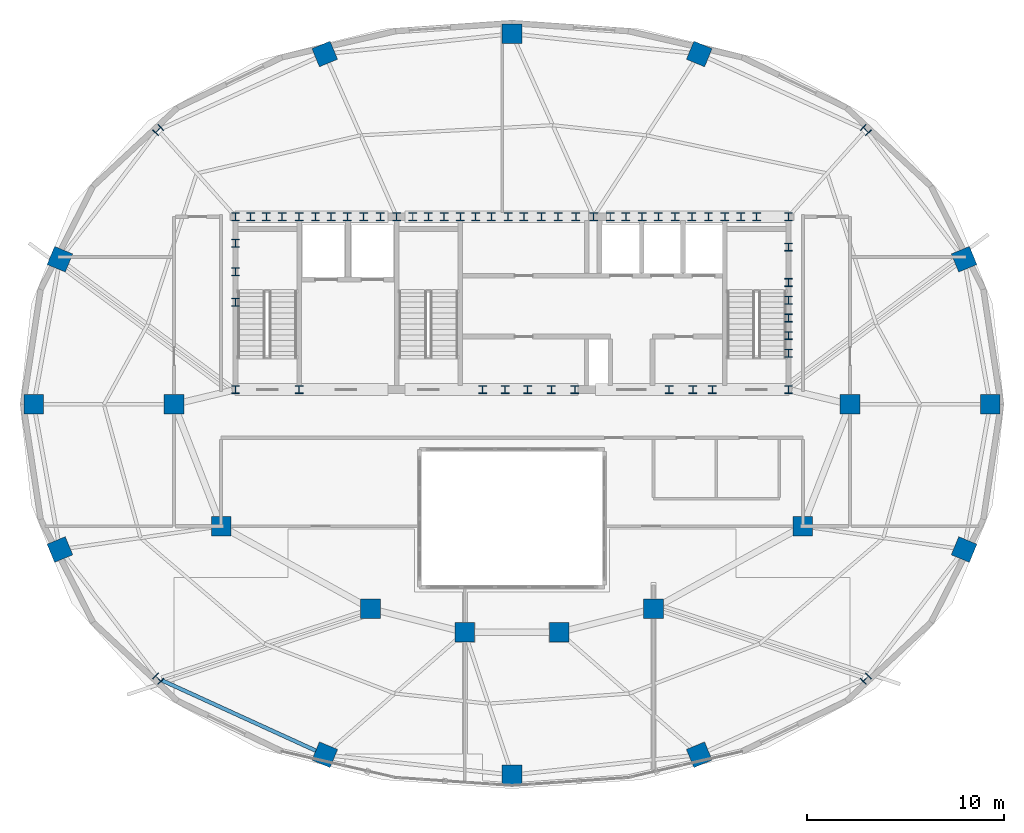
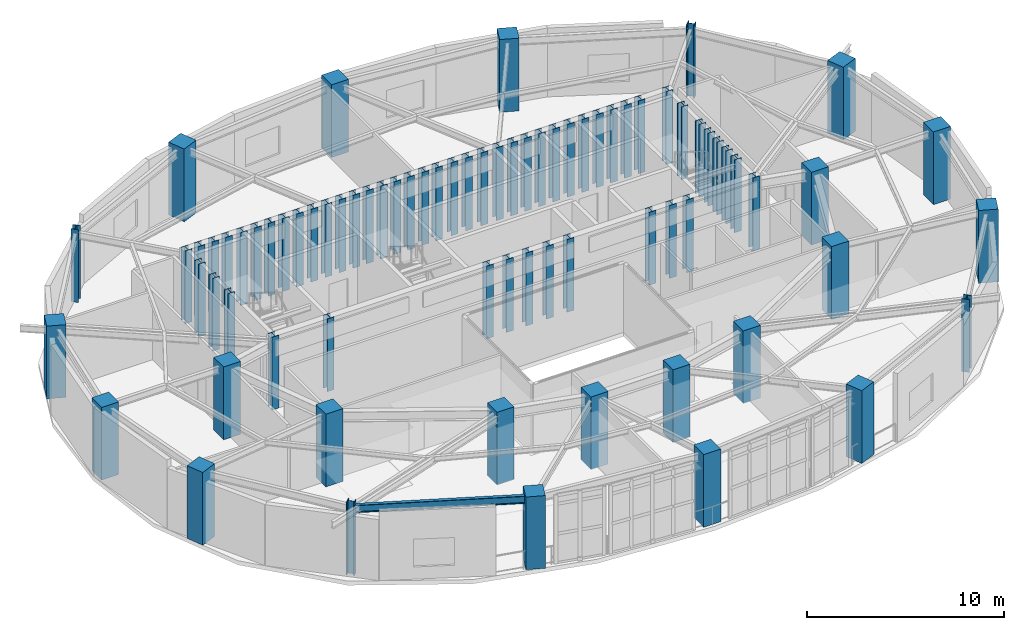
# One storey, part 1 of 11: 78 columns, 1 beam.
"""IFC4 building model written with IfcOpenShell, lengths in metres."""

from ifc_helpers import new_model, si_unit, direction, frame, origin, origin_2d, place, context, subcontext, project, spatial, rectangle, i_section, extrude, material, material_profile, profile_set, type_object, element, save


model = new_model("IFC4")

# Units and contexts
model_context = context("Model", 3, precision=1e-05, world=origin(), true_north=direction((0.0, 1.0)))
body_context = subcontext(model_context, "Body", "Model", "MODEL_VIEW")
ifc_project = project(units=[si_unit("LENGTHUNIT", "METRE"), si_unit("AREAUNIT", "SQUARE_METRE"), si_unit("VOLUMEUNIT", "CUBIC_METRE"), si_unit("PLANEANGLEUNIT", "RADIAN"), si_unit("MASSUNIT", "GRAM", prefix="KILO")], contexts=[model_context])

# Site, building, storey
site_placement = place(None, origin())
site = spatial("IfcSite", under=ifc_project, at=site_placement, CompositionType="ELEMENT")
building_placement = place(site_placement, origin())
building = spatial("IfcBuilding", under=site, at=building_placement, Name="Haldorwick Loom Tower", CompositionType="ELEMENT")
storey_placement = place(building_placement, frame((0.0, 0.0, 247.800048828125)))
storey = spatial("IfcBuildingStorey", under=building, at=storey_placement, Name="L67", CompositionType="ELEMENT", Elevation=247.800048828125)

# Columns
ifc_material_1 = material(Name="Concrete C60 (60 MPa)", Category="concrete")
ifc_material_profile_1 = material_profile(ifc_material_1, rectangle(XDim=1.0, YDim=1.0, at=origin_2d()), Name="RC1000X1000", Category="concrete")
ifc_profile_set_1 = profile_set([ifc_material_profile_1], Name="Concrete C60 (60 MPa)")
column_type_1 = type_object("IfcColumnType", Name="STR-COL-RC1000", PredefinedType="COLUMN", material=ifc_profile_set_1)
for number, where, z_axis, x_axis, name in (
    (1, (53.199951171875, 26.0, 0.0), (0.0, 0.0, 1.0), (1.0, 0.0, 0.0), "L67 Inner Column IC-01"),
    (2, (50.800048828125, 19.800048828125, 0.0), (0.0, 0.0, 1.0), (1.0, 0.0, 0.0), "L67 Inner Column IC-02"),
    (3, (43.199951171875, 15.60009765625, 0.0), (0.0, 0.0, 1.0), (1.0, 0.0, 0.0), "L67 Inner Column IC-03"),
    (4, (38.39990234375, 14.39990234375, 0.0), (0.0, 0.0, 1.0), (1.0, 0.0, 0.0), "L67 Inner Column IC-04"),
    (5, (33.60009765625, 14.39990234375, 0.0), (0.0, 0.0, 1.0), (1.0, 0.0, 0.0), "L67 Inner Column IC-05"),
    (6, (28.800048828125, 15.60009765625, 0.0), (0.0, 0.0, 1.0), (1.0, 0.0, 0.0), "L67 Inner Column IC-06"),
    (7, (21.199951171875, 19.800048828125, 0.0), (0.0, 0.0, 1.0), (1.0, 0.0, 0.0), "L67 Inner Column IC-07"),
    (8, (18.800048828125, 26.0, 0.0), (0.0, 0.0, 1.0), (1.0, 0.0, 0.0), "L67 Inner Column IC-08"),
    (9, (60.3369140625, 26.0, 0.0), (0.0, 0.0, 1.0), (1.0, 0.0, 0.0), "L67 Perimeter Pier Column P01"),
    (10, (59.004638671875, 33.3857421875, 0.0), (0.0, 0.0, 1.0), (0.923879532511, 0.382683432365, 0.0), "L67 Perimeter Pier Column P02"),
    (11, (45.52880859375, 43.830810546875, 0.0), (0.0, 0.0, 1.0), (0.382683432365, 0.923879532511, 0.0), "L67 Perimeter Pier Column P04"),
    (12, (36.0, 44.860107421875, 0.0), (0.0, 0.0, 1.0), (0.0, 1.0, 0.0), "L67 Perimeter Pier Column P05"),
    (13, (26.47119140625, 43.830810546875, 0.0), (0.0, 0.0, 1.0), (-0.382683432365, 0.923879532511, 0.0), "L67 Perimeter Pier Column P06"),
    (14, (12.995361328125, 33.3857421875, 0.0), (0.0, 0.0, 1.0), (-0.923879532511, 0.382683432365, 0.0), "L67 Perimeter Pier Column P08"),
    (15, (11.6630859375, 26.0, 0.0), (0.0, 0.0, 1.0), (-1.0, 0.0, 0.0), "L67 Perimeter Pier Column P09"),
    (16, (12.995361328125, 18.6142578125, 0.0), (0.0, 0.0, 1.0), (-0.923879532511, -0.382683432365, 0.0), "L67 Perimeter Pier Column P10"),
    (17, (26.47119140625, 8.169189453125, 0.0), (0.0, 0.0, 1.0), (-0.382683432365, -0.923879532511, 0.0), "L67 Perimeter Pier Column P12"),
    (18, (36.0, 7.139892578125, 0.0), (0.0, 0.0, 1.0), (0.0, -1.0, 0.0), "L67 Perimeter Pier Column P13"),
    (19, (45.52880859375, 8.169189453125, 0.0), (0.0, 0.0, 1.0), (0.382683432365, -0.923879532511, 0.0), "L67 Perimeter Pier Column P14"),
    (20, (59.004638671875, 18.6142578125, 0.0), (0.0, 0.0, 1.0), (0.923879532511, -0.382683432365, 0.0), "L67 Perimeter Pier Column P16"),
):
    element("IfcColumn", number, at=place(storey_placement, frame(where, z_axis=z_axis, x_axis=x_axis)), inside=storey, type_object=column_type_1, Name=name, PredefinedType="COLUMN", context=body_context, shape_type="SweptSolid", body=[
        extrude(rectangle(XDim=1.0, YDim=1.0, at=origin_2d()), origin(), (0.0, 0.0, 1.0), 4.5),
    ])
ifc_material_2 = material(Name="Steel CSA G40.21 350W", Category="steel")
ifc_material_profile_2 = material_profile(ifc_material_2, i_section(OverallWidth=0.406005859375, OverallDepth=0.416015625, WebThickness=0.024169921875, FlangeThickness=0.03857421875, at=origin_2d()), Name="W360X382", Category="steel")
ifc_profile_set_2 = profile_set([ifc_material_profile_2], Name="Steel CSA G40.21 350W")
column_type_2 = type_object("IfcColumnType", Name="STR-COL-W360X382", PredefinedType="COLUMN", material=ifc_profile_set_2)
for number, where, z_axis, x_axis, name in (
    (21, (21.929931640625, 35.550048828125, 0.0), (0.0, 0.0, 1.0), (1.0, 0.0, 0.0), "L67 Core Pilaster CB-01"),
    (22, (23.5, 35.550048828125, 0.0), (0.0, 0.0, 1.0), (1.0, 0.0, 0.0), "L67 Core Pilaster CB-02"),
    (23, (25.169921875, 35.550048828125, 0.0), (0.0, 0.0, 1.0), (1.0, 0.0, 0.0), "L67 Core Pilaster CB-03"),
    (24, (26.800048828125, 35.550048828125, 0.0), (0.0, 0.0, 1.0), (1.0, 0.0, 0.0), "L67 Core Pilaster CB-04"),
    (25, (28.449951171875, 35.550048828125, 0.0), (0.0, 0.0, 1.0), (1.0, 0.0, 0.0), "L67 Core Pilaster CB-05"),
    (26, (30.1298828125, 35.550048828125, 0.0), (0.0, 0.0, 1.0), (1.0, 0.0, 0.0), "L67 Core Pilaster CB-06"),
    (27, (31.75, 35.550048828125, 0.0), (0.0, 0.0, 1.0), (1.0, 0.0, 0.0), "L67 Core Pilaster CB-07"),
    (28, (33.3701171875, 35.550048828125, 0.0), (0.0, 0.0, 1.0), (1.0, 0.0, 0.0), "L67 Core Pilaster CB-08"),
    (29, (34.949951171875, 35.550048828125, 0.0), (0.0, 0.0, 1.0), (1.0, 0.0, 0.0), "L67 Core Pilaster CB-09"),
    (30, (36.60009765625, 35.550048828125, 0.0), (0.0, 0.0, 1.0), (1.0, 0.0, 0.0), "L67 Core Pilaster CB-10"),
    (31, (38.35009765625, 35.550048828125, 0.0), (0.0, 0.0, 1.0), (1.0, 0.0, 0.0), "L67 Core Pilaster CB-11"),
    (32, (40.14990234375, 35.550048828125, 0.0), (0.0, 0.0, 1.0), (1.0, 0.0, 0.0), "L67 Core Pilaster CB-12"),
    (33, (41.800048828125, 35.550048828125, 0.0), (0.0, 0.0, 1.0), (1.0, 0.0, 0.0), "L67 Core Pilaster CB-13"),
    (34, (43.449951171875, 35.550048828125, 0.0), (0.0, 0.0, 1.0), (1.0, 0.0, 0.0), "L67 Core Pilaster CB-14"),
    (35, (45.14990234375, 35.550048828125, 0.0), (0.0, 0.0, 1.0), (1.0, 0.0, 0.0), "L67 Core Pilaster CB-15"),
    (36, (46.830078125, 35.550048828125, 0.0), (0.0, 0.0, 1.0), (1.0, 0.0, 0.0), "L67 Core Pilaster CB-16"),
    (37, (48.449951171875, 35.550048828125, 0.0), (0.0, 0.0, 1.0), (1.0, 0.0, 0.0), "L67 Core Pilaster CB-17"),
    (38, (50.070068359375, 35.550048828125, 0.0), (0.0, 0.0, 1.0), (1.0, 0.0, 0.0), "L67 Core Pilaster CB-18"),
    (39, (21.929931640625, 26.75, 0.0), (0.0, 0.0, 1.0), (1.0, 0.0, 0.0), "L67 Core Pilaster CB-19"),
    (40, (25.169921875, 26.75, 0.0), (0.0, 0.0, 1.0), (1.0, 0.0, 0.0), "L67 Core Pilaster CB-20"),
    (41, (34.5, 26.75, 0.0), (0.0, 0.0, 1.0), (1.0, 0.0, 0.0), "L67 Core Pilaster CB-21"),
    (42, (36.800048828125, 26.75, 0.0), (0.0, 0.0, 1.0), (1.0, 0.0, 0.0), "L67 Core Pilaster CB-22"),
    (43, (39.199951171875, 26.75, 0.0), (0.0, 0.0, 1.0), (1.0, 0.0, 0.0), "L67 Core Pilaster CB-23"),
    (44, (45.199951171875, 26.75, 0.0), (0.0, 0.0, 1.0), (1.0, 0.0, 0.0), "L67 Core Pilaster CB-24"),
    (45, (50.070068359375, 26.75, 0.0), (0.0, 0.0, 1.0), (1.0, 0.0, 0.0), "L67 Core Pilaster CB-25"),
    (46, (21.929931640625, 31.199951171875, 0.0), (0.0, 0.0, 1.0), (1.0, 0.0, 0.0), "L67 Core Pilaster CB-26"),
    (47, (21.929931640625, 32.75, 0.0), (0.0, 0.0, 1.0), (1.0, 0.0, 0.0), "L67 Core Pilaster CB-27"),
    (48, (21.929931640625, 34.199951171875, 0.0), (0.0, 0.0, 1.0), (1.0, 0.0, 0.0), "L67 Core Pilaster CB-28"),
    (49, (50.070068359375, 28.60009765625, 0.0), (0.0, 0.0, 1.0), (1.0, 0.0, 0.0), "L67 Core Pilaster CB-29"),
    (50, (50.070068359375, 30.39990234375, 0.0), (0.0, 0.0, 1.0), (1.0, 0.0, 0.0), "L67 Core Pilaster CB-30"),
    (51, (50.070068359375, 32.199951171875, 0.0), (0.0, 0.0, 1.0), (1.0, 0.0, 0.0), "L67 Core Pilaster CB-31"),
    (52, (50.070068359375, 34.0, 0.0), (0.0, 0.0, 1.0), (1.0, 0.0, 0.0), "L67 Core Pilaster CB-32"),
    (53, (22.699951171875, 35.550048828125, 0.0), (0.0, 0.0, 1.0), (1.0, 0.0, 0.0), "L67 Core Pilaster CB-33"),
    (54, (27.6201171875, 35.550048828125, 0.0), (0.0, 0.0, 1.0), (1.0, 0.0, 0.0), "L67 Core Pilaster CB-34"),
    (55, (32.550048828125, 35.550048828125, 0.0), (0.0, 0.0, 1.0), (1.0, 0.0, 0.0), "L67 Core Pilaster CB-35"),
    (56, (37.5, 35.550048828125, 0.0), (0.0, 0.0, 1.0), (1.0, 0.0, 0.0), "L67 Core Pilaster CB-36"),
    (57, (42.6201171875, 35.550048828125, 0.0), (0.0, 0.0, 1.0), (1.0, 0.0, 0.0), "L67 Core Pilaster CB-37"),
    (58, (47.64990234375, 35.550048828125, 0.0), (0.0, 0.0, 1.0), (1.0, 0.0, 0.0), "L67 Core Pilaster CB-38"),
    (59, (24.300048828125, 35.550048828125, 0.0), (0.0, 0.0, 1.0), (1.0, 0.0, 0.0), "L67 Core Pilaster CB-39"),
    (60, (26.0, 35.550048828125, 0.0), (0.0, 0.0, 1.0), (1.0, 0.0, 0.0), "L67 Core Pilaster CB-40"),
    (61, (29.300048828125, 35.550048828125, 0.0), (0.0, 0.0, 1.0), (1.0, 0.0, 0.0), "L67 Core Pilaster CB-41"),
    (62, (30.949951171875, 35.550048828125, 0.0), (0.0, 0.0, 1.0), (1.0, 0.0, 0.0), "L67 Core Pilaster CB-42"),
    (63, (34.14990234375, 35.550048828125, 0.0), (0.0, 0.0, 1.0), (1.0, 0.0, 0.0), "L67 Core Pilaster CB-43"),
    (64, (35.800048828125, 35.550048828125, 0.0), (0.0, 0.0, 1.0), (1.0, 0.0, 0.0), "L67 Core Pilaster CB-44"),
    (65, (39.25, 35.550048828125, 0.0), (0.0, 0.0, 1.0), (1.0, 0.0, 0.0), "L67 Core Pilaster CB-45"),
    (66, (41.0, 35.550048828125, 0.0), (0.0, 0.0, 1.0), (1.0, 0.0, 0.0), "L67 Core Pilaster CB-46"),
    (67, (44.300048828125, 35.550048828125, 0.0), (0.0, 0.0, 1.0), (1.0, 0.0, 0.0), "L67 Core Pilaster CB-47"),
    (68, (46.0, 35.550048828125, 0.0), (0.0, 0.0, 1.0), (1.0, 0.0, 0.0), "L67 Core Pilaster CB-48"),
    (69, (50.070068359375, 29.5, 0.0), (0.0, 0.0, 1.0), (1.0, 0.0, 0.0), "L67 Core Pilaster CB-49"),
    (70, (50.070068359375, 31.300048828125, 0.0), (0.0, 0.0, 1.0), (1.0, 0.0, 0.0), "L67 Core Pilaster CB-50"),
    (71, (35.64990234375, 26.75, 0.0), (0.0, 0.0, 1.0), (1.0, 0.0, 0.0), "L67 Core Pilaster CB-51"),
    (72, (38.0, 26.75, 0.0), (0.0, 0.0, 1.0), (1.0, 0.0, 0.0), "L67 Core Pilaster CB-52"),
    (73, (44.0, 26.75, 0.0), (0.0, 0.0, 1.0), (1.0, 0.0, 0.0), "L67 Core Pilaster CB-53"),
    (74, (46.199951171875, 26.75, 0.0), (0.0, 0.0, 1.0), (1.0, 0.0, 0.0), "L67 Core Pilaster CB-54"),
    (75, (54.005126953125, 39.958251953125, 0.0), (0.0, 0.0, 1.0), (0.707106781187, 0.707106781187, 0.0), "L67 Perimeter Pier Column P03"),
    (76, (17.994873046875, 39.958251953125, 0.0), (0.0, 0.0, 1.0), (-0.707106781187, 0.707106781187, 0.0), "L67 Perimeter Pier Column P07"),
    (77, (17.994873046875, 12.041748046875, 0.0), (0.0, 0.0, 1.0), (-0.707106781187, -0.707106781187, 0.0), "L67 Perimeter Pier Column P11"),
    (78, (54.005126953125, 12.041748046875, 0.0), (0.0, 0.0, 1.0), (0.707106781187, -0.707106781187, 0.0), "L67 Perimeter Pier Column P15"),
):
    element("IfcColumn", number, at=place(storey_placement, frame(where, z_axis=z_axis, x_axis=x_axis)), inside=storey, type_object=column_type_2, Name=name, PredefinedType="COLUMN", context=body_context, shape_type="SweptSolid", body=[
        extrude(i_section(OverallWidth=0.406005859375, OverallDepth=0.416015625, WebThickness=0.024169921875, FlangeThickness=0.03857421875, at=origin_2d()), origin(), (0.0, 0.0, 1.0), 4.5),
    ])

# Beam
ifc_material_profile_3 = material_profile(ifc_material_2, i_section(OverallWidth=0.193115234375, OverallDepth=0.466064453125, WebThickness=0.011474609375, FlangeThickness=0.01904296875, at=origin_2d()), Name="W460X97", Category="steel")
ifc_profile_set_3 = profile_set([ifc_material_profile_3], Name="Steel CSA G40.21 350W")
beam_type = type_object("IfcBeamType", Name="STR-BM-SP460", PredefinedType="SPANDREL", material=ifc_profile_set_3)
beam_placement = place(storey_placement, frame((18.15673828125, 11.9677734375, 4.02685546875), z_axis=(0.909567887863, -0.415555360172, 0.0), x_axis=(0.415555360172, 0.909567887863, 0.0)))
element("IfcBeam", 79, at=beam_placement, inside=storey, type_object=beam_type, Name="L67 Perimeter Spandrel 11", PredefinedType="SPANDREL", context=body_context, shape_type="SweptSolid", body=[
    extrude(i_section(OverallWidth=0.193115234375, OverallDepth=0.466064453125, WebThickness=0.011474609375, FlangeThickness=0.01904296875, at=origin_2d()), origin(), (0.0, 0.0, 1.0), 8.666259765625),
])

save(model, "model.ifc")
